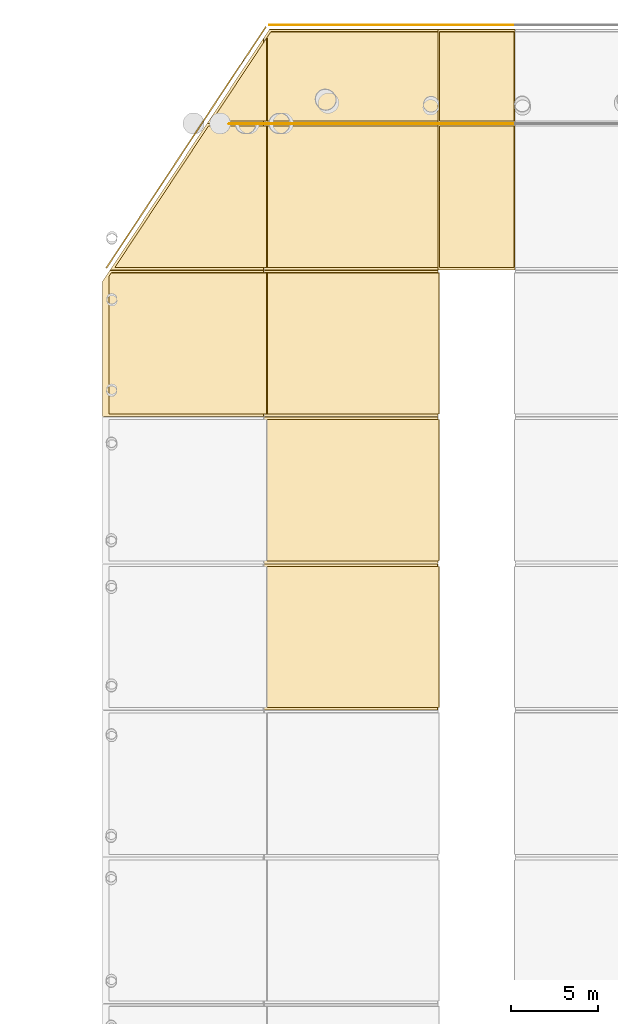
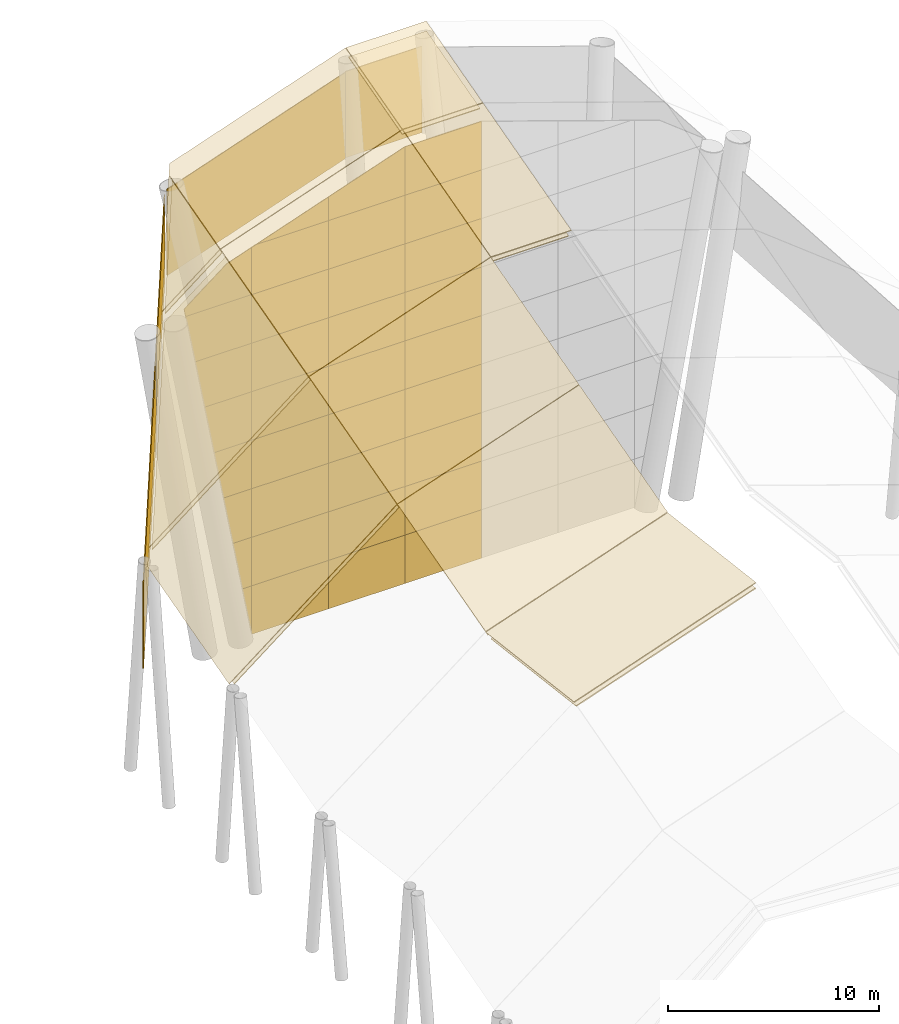
# One storey, part 6 of 8: 59 coverings.
"""IFC4 building model written with IfcOpenShell, lengths in metres."""

from ifc_helpers import new_model, si_unit, direction, frame, origin, place, context, subcontext, project, spatial, polyline, outline, extrude, material, layer, layer_set, type_object, element, save


model = new_model("IFC4")

# Units and contexts
model_context = context("Model", 3, precision=1e-05, world=origin(), true_north=direction((0.0, 1.0)))
body_context = subcontext(model_context, "Body", "Model", "MODEL_VIEW")
ifc_project = project(units=[si_unit("LENGTHUNIT", "METRE"), si_unit("AREAUNIT", "SQUARE_METRE"), si_unit("VOLUMEUNIT", "CUBIC_METRE"), si_unit("PLANEANGLEUNIT", "RADIAN"), si_unit("MASSUNIT", "GRAM", prefix="KILO")], contexts=[model_context])

# Site, building, storey
site_placement = place(None, origin())
site = spatial("IfcSite", under=ifc_project, at=site_placement, CompositionType="ELEMENT")
building_placement = place(site_placement, origin())
building = spatial("IfcBuilding", under=site, at=building_placement, Name="Sava Quay Ferry Terminal", CompositionType="ELEMENT")
storey_placement = place(building_placement, frame((0.0, 0.0, 18.0)))
storey = spatial("IfcBuildingStorey", under=building, at=storey_placement, Name="ROOF", CompositionType="ELEMENT", Elevation=18.0)

# Coverings
ifc_material_1 = material(Name="Glulam GL28h", Category="wood")
ifc_layer_1 = layer(ifc_material_1, 0.06005859375)
ifc_layer_set_1 = layer_set([ifc_layer_1], Name="Glulam GL28h")
covering_type_1 = type_object("IfcCoveringType", Name="Glulam soffit lining 60", PredefinedType="CEILING", material=ifc_layer_set_1)
covering_1_placement = place(storey_placement, frame((50.9951171875, 75.7587890625, 16.45751953125), z_axis=(-0.323350396103, 0.116498655419, 0.939080712519), x_axis=(0.0, 0.992392741197, -0.123112335773)))
element("IfcCovering", 1, at=covering_1_placement, inside=storey, type_object=covering_type_1, Name="Departure hall timber soffit lining bay 4 facet 2", PredefinedType="CEILING", context=body_context, shape_type="SweptSolid", body=[
    extrude(outline(polyline([(0.0, 0.0), (8.144476673117172, 0.0), (7.727109023082531, -10.404648059504769), (-0.4173676500346407, -10.404648059504769), (0.0, 0.0)])), origin(), (0.0, 0.0, -1.0), 0.06005859375),
])
covering_2_placement = place(storey_placement, frame((50.998291015625, 84.154296875, 15.48681640625), z_axis=(-0.315199027019, -0.25041905939, 0.915390554933), x_axis=(-4.19868e-06, 0.964558714023, 0.263868314099)))
element("IfcCovering", 2, at=covering_2_placement, inside=storey, type_object=covering_type_1, Name="Departure hall timber soffit lining bay 5 facet 2", PredefinedType="CEILING", context=body_context, shape_type="SweptSolid", body=[
    extrude(outline(polyline([(0.0, 0.0), (8.38858277240195, 0.0), (9.282962260238106, -10.372522157681702), (0.8943150668610333, -10.372447931846839), (0.0, 0.0)])), origin(), (0.0, 0.0, -1.0), 0.06005859375),
])
covering_3_placement = place(storey_placement, frame((41.945556640625, 92.554443359375, 10.716064453125), z_axis=(-0.601835831185, -0.210733081527, 0.770315000926), x_axis=(3.249979e-06, 0.964557172518, 0.263873948948)))
element("IfcCovering", 3, at=covering_3_placement, inside=storey, type_object=covering_type_1, Name="Departure hall timber soffit lining bay 6 facet 1", PredefinedType="CEILING", context=body_context, shape_type="SweptSolid", body=[
    extrude(outline(polyline([(0.0, 0.0), (8.173236846383585, -2.220446049250313e-16), (8.416993475092832, -0.17215673745696947), (10.25138441041561, -11.313704614893181), (1.8628016387466744, -11.31381970284826), (0.0, 0.0)])), origin(), (0.0, 0.0, -1.0), 0.06005859375),
])
covering_4_placement = place(storey_placement, frame((50.998291015625, 92.554443359375, 17.78466796875), z_axis=(-0.315199027019, -0.25041905939, 0.915390554933), x_axis=(4.198648e-06, 0.964557978091, 0.263871004249)))
element("IfcCovering", 4, at=covering_4_placement, inside=storey, type_object=covering_type_1, Name="Departure hall timber soffit lining bay 6 facet 2", PredefinedType="CEILING", context=body_context, shape_type="SweptSolid", body=[
    extrude(outline(polyline([(0.0, 0.0), (8.38864719370546, 0.0), (9.283054039764714, -10.37244001821224), (0.8944712676911529, -10.37251424347708), (0.0, 0.0)])), origin(), (0.0, 0.0, -1.0), 0.06005859375),
])
covering_5_placement = place(storey_placement, frame((47.640380859375, 109.045654296875, 19.677001953125), z_axis=(-0.601825375367, -0.210746119595, 0.770319602918), x_axis=(0.788017926567, -7.28906e-07, 0.615652294245)))
element("IfcCovering", 5, at=covering_5_placement, inside=storey, type_object=covering_type_1, Name="Departure hall timber soffit lining bay 7 facet 1", PredefinedType="CEILING", context=body_context, shape_type="SweptSolid", body=[
    extrude(outline(polyline([(0.0, 0.0), (4.2392022252661015, 5.551115123125783e-17), (2.8763860156689796, -8.277205671698216), (-8.156177666759504, -8.277217059134), (0.0, 0.0)])), origin(), (0.0, 0.0, -1.0), 0.06005859375),
])
covering_6_placement = place(storey_placement, frame((50.998291015625, 100.954345703125, 20.082763671875), z_axis=(-0.315199027019, -0.25041905939, 0.915390554933), x_axis=(-4.19868e-06, 0.964558714023, 0.263868314099)))
element("IfcCovering", 6, at=covering_6_placement, inside=storey, type_object=covering_type_1, Name="Departure hall timber soffit lining bay 7 facet 2", PredefinedType="CEILING", context=body_context, shape_type="SweptSolid", body=[
    extrude(outline(polyline([(0.0, 0.0), (8.38858277240195, 0.0), (9.282962260238106, -10.372522157681702), (0.8943150668610333, -10.372447931846839), (0.0, 0.0)])), origin(), (0.0, 0.0, -1.0), 0.06005859375),
])
covering_7_placement = place(storey_placement, frame((60.861572265625, 100.954345703125, 23.475341796875), z_axis=(0.0, -0.263883197799, 0.964554642267), x_axis=(0.0, 0.964554642267, 0.263883197799)))
element("IfcCovering", 7, at=covering_7_placement, inside=storey, type_object=covering_type_1, Name="Departure hall timber soffit lining bay 7 facet 3", PredefinedType="CEILING", context=body_context, shape_type="SweptSolid", body=[
    extrude(outline(polyline([(0.0, 0.0), (8.388647194449696, 0.0), (8.388647194449696, -4.276855468750001), (0.0, -4.276855468750001), (0.0, 0.0)])), origin(), (0.0, 0.0, -1.0), 0.06005859375),
])
covering_8_placement = place(storey_placement, frame((50.98095703125, 114.094970703125, 23.66796875), z_axis=(-0.601834910348, -0.210691483319, 0.770327099058), x_axis=(0.0, -0.964572129455, -0.263819269726)))
element("IfcCovering", 8, at=covering_8_placement, inside=storey, type_object=covering_type_1, Name="Departure hall timber soffit lining bay 8 facet 1", PredefinedType="CEILING", context=body_context, shape_type="SweptSolid", body=[
    extrude(outline(polyline([(0.0, 0.0), (4.914845154118857, 1.1102230246251565e-16), (5.561318301149572, -3.927365396656366), (0.0, 0.0)])), origin(), (0.0, 0.0, -1.0), 0.06005859375),
])
covering_9_placement = place(storey_placement, frame((50.998291015625, 109.354248046875, 22.380615234375), z_axis=(-0.315206481893, -0.250387200793, 0.915396702775), x_axis=(5.04045e-06, 0.964566898975, 0.263838392538)))
element("IfcCovering", 9, at=covering_9_placement, inside=storey, type_object=covering_type_1, Name="Departure hall timber soffit lining bay 8 facet 2", PredefinedType="CEILING", context=body_context, shape_type="SweptSolid", body=[
    extrude(outline(polyline([(0.0, 0.0), (4.941974989508143, 0.0), (5.297841739684771, -0.22611061852212433), (6.172692327932078, -10.372482710449443), (0.8943690119521096, -10.372523061401296), (0.0, 0.0)])), origin(), (0.0, 0.0, -1.0), 0.06005859375),
])
covering_10_placement = place(storey_placement, frame((60.861572265625, 109.354248046875, 25.7734375), z_axis=(0.0, -0.263829637095, 0.964569293825), x_axis=(0.0, 0.964569293825, 0.263829637095)))
element("IfcCovering", 10, at=covering_10_placement, inside=storey, type_object=covering_type_1, Name="Departure hall timber soffit lining bay 8 facet 3", PredefinedType="CEILING", context=body_context, shape_type="SweptSolid", body=[
    extrude(outline(polyline([(0.0, 0.0), (5.278323316264467, 0.0), (5.278323316264467, -4.27685546875), (0.0, -4.27685546875), (0.0, 0.0)])), origin(), (0.0, 0.0, -1.0), 0.06005859375),
])
ifc_material_2 = material(Name="Zinc standing seam sheet")
ifc_layer_2 = layer(ifc_material_2, 0.050048828125)
ifc_layer_set_2 = layer_set([ifc_layer_2], Name="Zinc standing seam sheet")
covering_type_2 = type_object("IfcCoveringType", Name="Prow edge apron zinc 50", PredefinedType="CLADDING", material=ifc_layer_set_2)
covering_11_placement = place(storey_placement, frame((41.779052734375, 100.9462890625, 11.58642578125), z_axis=(-0.833995524919, 0.551771206584, 0.0), x_axis=(0.460672089896, 0.696300308613, 0.550406309753)))
element("IfcCovering", 11, at=covering_11_placement, inside=storey, type_object=covering_type_2, Name="Departure hall prow edge apron 1", PredefinedType="CLADDING", context=body_context, shape_type="SweptSolid", body=[
    extrude(outline(polyline([(0.0, 0.0), (12.063620021192186, 8.881784197001252e-16), (9.311588472427932, 4.174484681323699), (-2.752031548764255, 4.1744846813236975), (0.0, 0.0)])), origin(), (0.0, 0.0, -1.0), 0.050048828125),
])
covering_12_placement = place(storey_placement, frame((47.33642578125, 109.34619140625, 18.226318359375), z_axis=(-0.834011561031, 0.551746967429, 0.0), x_axis=(0.460660848665, 0.696327295266, 0.550381577067)))
element("IfcCovering", 12, at=covering_12_placement, inside=storey, type_object=covering_type_2, Name="Departure hall prow edge apron 2", PredefinedType="CLADDING", context=body_context, shape_type="SweptSolid", body=[
    extrude(outline(polyline([(0.0, 0.0), (7.755184266202708, 8.881784197001252e-16), (5.003276380869533, 4.174566203887669), (-2.751907885333175, 4.174566203887668), (0.0, 0.0)])), origin(), (0.0, 0.0, -1.0), 0.050048828125),
])
covering_13_placement = place(storey_placement, frame((51.1298828125, 114.864990234375, 22.6591796875), z_axis=(0.0, 1.0, 0.0), x_axis=(0.945520775213, 0.0, 0.325561766247)))
element("IfcCovering", 13, at=covering_13_placement, inside=storey, type_object=covering_type_2, Name="Departure hall prow edge apron 5", PredefinedType="CLADDING", context=body_context, shape_type="SweptSolid", body=[
    extrude(outline(polyline([(0.0, 0.0), (10.332950673721827, -4.440892098500626e-16), (8.705141842489251, 4.727603876062505), (-1.627808831232577, 4.727603876062506), (0.0, 0.0)])), origin(), (0.0, 0.0, -1.0), 0.050048828125),
])
covering_14_placement = place(storey_placement, frame((60.89990234375, 114.864990234375, 26.06787109375), z_axis=(0.0, 1.0, 0.0), x_axis=(1.0, 0.0, 0.0)))
element("IfcCovering", 14, at=covering_14_placement, inside=storey, type_object=covering_type_2, Name="Departure hall prow edge apron 6", PredefinedType="CLADDING", context=body_context, shape_type="SweptSolid", body=[
    extrude(outline(polyline([(0.0, 0.0), (4.2001953125, 0.0), (4.2001953125, 5.0), (0.0, 5.0), (0.0, 0.0)])), origin(), (0.0, 0.0, -1.0), 0.050048828125),
])
ifc_material_3 = material(Name="Laminated glass", Category="glass")
ifc_layer_3 = layer(ifc_material_3, 0.0400390625)
ifc_layer_set_3 = layer_set([ifc_layer_3], Name="Laminated glass")
covering_type_3 = type_object("IfcCoveringType", Name="Prow end glazing 40", PredefinedType="CLADDING", material=ifc_layer_set_3)
covering_15_placement = place(storey_placement, frame((51.96728515625, 109.199951171875, 2.63330078125), z_axis=(0.0, 1.0, 0.0), x_axis=(1.0, 0.0, 0.0)))
element("IfcCovering", 15, at=covering_15_placement, inside=storey, type_object=covering_type_3, Name="Departure hall prow end glazing panel 16", PredefinedType="CLADDING", context=body_context, shape_type="SweptSolid", body=[
    extrude(outline(polyline([(0.0, 0.0), (0.53271484375, 0.0), (0.53271484375, 2.813232421875), (0.51611328125, 2.813232421875), (0.0, 0.0)])), origin(), (0.0, 0.0, -1.0), 0.0400390625),
])
for number, where, z_axis, x_axis, name in (
    (16, (52.5, 109.199951171875, -0.179931640625), (0.0, 1.0, 0.0), (0.0, 0.0, 1.0), "Departure hall prow end glazing panel 17"),
    (17, (56.699951171875, 109.199951171875, -0.179931640625), (0.0, 1.0, 0.0), (0.0, 0.0, 1.0), "Departure hall prow end glazing panel 18"),
):
    element("IfcCovering", number, at=place(storey_placement, frame(where, z_axis=z_axis, x_axis=x_axis)), inside=storey, type_object=covering_type_3, Name=name, PredefinedType="CLADDING", context=body_context, shape_type="SweptSolid", body=[
        extrude(outline(polyline([(0.0, 0.0), (2.813232421875, 0.0), (2.813232421875, 4.199951171875), (0.0, 4.199951171875), (0.0, 0.0)])), origin(), (0.0, 0.0, -1.0), 0.0400390625),
    ])
covering_16_placement = place(storey_placement, frame((60.89990234375, 109.199951171875, -0.179931640625), z_axis=(0.0, 1.0, 0.0), x_axis=(0.0, 0.0, 1.0)))
element("IfcCovering", 18, at=covering_16_placement, inside=storey, type_object=covering_type_3, Name="Departure hall prow end glazing panel 19", PredefinedType="CLADDING", context=body_context, shape_type="SweptSolid", body=[
    extrude(outline(polyline([(0.0, 0.0), (2.813232421875, 0.0), (2.813232421875, 4.2001953125), (0.0, 4.2001953125), (0.0, 0.0)])), origin(), (0.0, 0.0, -1.0), 0.0400390625),
])
covering_17_placement = place(storey_placement, frame((51.451171875, 109.199951171875, 5.44677734375), z_axis=(0.0, 1.0, 0.0), x_axis=(1.0, 0.0, 0.0)))
element("IfcCovering", 19, at=covering_17_placement, inside=storey, type_object=covering_type_3, Name="Departure hall prow end glazing panel 23", PredefinedType="CLADDING", context=body_context, shape_type="SweptSolid", body=[
    extrude(outline(polyline([(0.0, 0.0), (1.048828125, 0.0), (1.048828125, 2.8134765625), (0.51611328125, 2.8134765625), (0.0, 0.0)])), origin(), (0.0, 0.0, -1.0), 0.0400390625),
])
for number, where, z_axis, x_axis, name in (
    (20, (52.5, 109.199951171875, 2.63330078125), (0.0, 1.0, 0.0), (0.0, 0.0, 1.0), "Departure hall prow end glazing panel 24"),
    (21, (56.699951171875, 109.199951171875, 2.63330078125), (0.0, 1.0, 0.0), (0.0, 0.0, 1.0), "Departure hall prow end glazing panel 25"),
):
    element("IfcCovering", number, at=place(storey_placement, frame(where, z_axis=z_axis, x_axis=x_axis)), inside=storey, type_object=covering_type_3, Name=name, PredefinedType="CLADDING", context=body_context, shape_type="SweptSolid", body=[
        extrude(outline(polyline([(0.0, 0.0), (2.8134765625, 0.0), (2.8134765625, 4.199951171875), (0.0, 4.199951171875), (0.0, 0.0)])), origin(), (0.0, 0.0, -1.0), 0.0400390625),
    ])
covering_18_placement = place(storey_placement, frame((60.89990234375, 109.199951171875, 2.63330078125), z_axis=(0.0, 1.0, 0.0), x_axis=(0.0, 0.0, 1.0)))
element("IfcCovering", 22, at=covering_18_placement, inside=storey, type_object=covering_type_3, Name="Departure hall prow end glazing panel 26", PredefinedType="CLADDING", context=body_context, shape_type="SweptSolid", body=[
    extrude(outline(polyline([(0.0, 0.0), (2.8134765625, 0.0), (2.8134765625, 4.2001953125), (0.0, 4.2001953125), (0.0, 0.0)])), origin(), (0.0, 0.0, -1.0), 0.0400390625),
])
covering_19_placement = place(storey_placement, frame((50.93505859375, 109.199951171875, 8.260009765625), z_axis=(0.0, 1.0, 0.0), x_axis=(1.0, 0.0, 0.0)))
element("IfcCovering", 23, at=covering_19_placement, inside=storey, type_object=covering_type_3, Name="Departure hall prow end glazing panel 30", PredefinedType="CLADDING", context=body_context, shape_type="SweptSolid", body=[
    extrude(outline(polyline([(0.0, 0.0), (1.56494140625, 0.0), (1.56494140625, 2.813232421875), (0.51611328125, 2.813232421875), (0.0, 0.0)])), origin(), (0.0, 0.0, -1.0), 0.0400390625),
])
for number, where, z_axis, x_axis, name in (
    (24, (52.5, 109.199951171875, 5.44677734375), (0.0, 1.0, 0.0), (0.0, 0.0, 1.0), "Departure hall prow end glazing panel 31"),
    (25, (56.699951171875, 109.199951171875, 5.44677734375), (0.0, 1.0, 0.0), (0.0, 0.0, 1.0), "Departure hall prow end glazing panel 32"),
):
    element("IfcCovering", number, at=place(storey_placement, frame(where, z_axis=z_axis, x_axis=x_axis)), inside=storey, type_object=covering_type_3, Name=name, PredefinedType="CLADDING", context=body_context, shape_type="SweptSolid", body=[
        extrude(outline(polyline([(0.0, 0.0), (2.813232421875, 0.0), (2.813232421875, 4.199951171875), (0.0, 4.199951171875), (0.0, 0.0)])), origin(), (0.0, 0.0, -1.0), 0.0400390625),
    ])
covering_20_placement = place(storey_placement, frame((60.89990234375, 109.199951171875, 5.44677734375), z_axis=(0.0, 1.0, 0.0), x_axis=(0.0, 0.0, 1.0)))
element("IfcCovering", 26, at=covering_20_placement, inside=storey, type_object=covering_type_3, Name="Departure hall prow end glazing panel 33", PredefinedType="CLADDING", context=body_context, shape_type="SweptSolid", body=[
    extrude(outline(polyline([(0.0, 0.0), (2.813232421875, 0.0), (2.813232421875, 4.2001953125), (0.0, 4.2001953125), (0.0, 0.0)])), origin(), (0.0, 0.0, -1.0), 0.0400390625),
])
covering_21_placement = place(storey_placement, frame((50.419189453125, 109.199951171875, 11.073486328125), z_axis=(0.0, 1.0, 0.0), x_axis=(1.0, 0.0, 0.0)))
element("IfcCovering", 27, at=covering_21_placement, inside=storey, type_object=covering_type_3, Name="Departure hall prow end glazing panel 37", PredefinedType="CLADDING", context=body_context, shape_type="SweptSolid", body=[
    extrude(outline(polyline([(0.0, 0.0), (2.080810546875, 0.0), (2.080810546875, 2.8134765625), (0.515869140625, 2.8134765625), (0.0, 0.0)])), origin(), (0.0, 0.0, -1.0), 0.0400390625),
])
for number, where, z_axis, x_axis, name in (
    (28, (52.5, 109.199951171875, 8.260009765625), (0.0, 1.0, 0.0), (0.0, 0.0, 1.0), "Departure hall prow end glazing panel 38"),
    (29, (56.699951171875, 109.199951171875, 8.260009765625), (0.0, 1.0, 0.0), (0.0, 0.0, 1.0), "Departure hall prow end glazing panel 39"),
):
    element("IfcCovering", number, at=place(storey_placement, frame(where, z_axis=z_axis, x_axis=x_axis)), inside=storey, type_object=covering_type_3, Name=name, PredefinedType="CLADDING", context=body_context, shape_type="SweptSolid", body=[
        extrude(outline(polyline([(0.0, 0.0), (2.8134765625, 0.0), (2.8134765625, 4.199951171875), (0.0, 4.199951171875), (0.0, 0.0)])), origin(), (0.0, 0.0, -1.0), 0.0400390625),
    ])
covering_22_placement = place(storey_placement, frame((60.89990234375, 109.199951171875, 8.260009765625), z_axis=(0.0, 1.0, 0.0), x_axis=(0.0, 0.0, 1.0)))
element("IfcCovering", 30, at=covering_22_placement, inside=storey, type_object=covering_type_3, Name="Departure hall prow end glazing panel 40", PredefinedType="CLADDING", context=body_context, shape_type="SweptSolid", body=[
    extrude(outline(polyline([(0.0, 0.0), (2.8134765625, 0.0), (2.8134765625, 4.2001953125), (0.0, 4.2001953125), (0.0, 0.0)])), origin(), (0.0, 0.0, -1.0), 0.0400390625),
])
covering_23_placement = place(storey_placement, frame((49.903076171875, 109.199951171875, 13.88671875), z_axis=(0.0, 1.0, 0.0), x_axis=(1.0, 0.0, 0.0)))
element("IfcCovering", 31, at=covering_23_placement, inside=storey, type_object=covering_type_3, Name="Departure hall prow end glazing panel 44", PredefinedType="CLADDING", context=body_context, shape_type="SweptSolid", body=[
    extrude(outline(polyline([(0.0, 0.0), (2.596923828125, 0.0), (2.596923828125, 2.813232421875), (0.51611328125, 2.813232421875), (0.0, 0.0)])), origin(), (0.0, 0.0, -1.0), 0.0400390625),
])
for number, where, z_axis, x_axis, name in (
    (32, (52.5, 109.199951171875, 11.073486328125), (0.0, 1.0, 0.0), (0.0, 0.0, 1.0), "Departure hall prow end glazing panel 45"),
    (33, (56.699951171875, 109.199951171875, 11.073486328125), (0.0, 1.0, 0.0), (0.0, 0.0, 1.0), "Departure hall prow end glazing panel 46"),
):
    element("IfcCovering", number, at=place(storey_placement, frame(where, z_axis=z_axis, x_axis=x_axis)), inside=storey, type_object=covering_type_3, Name=name, PredefinedType="CLADDING", context=body_context, shape_type="SweptSolid", body=[
        extrude(outline(polyline([(0.0, 0.0), (2.813232421875, 0.0), (2.813232421875, 4.199951171875), (0.0, 4.199951171875), (0.0, 0.0)])), origin(), (0.0, 0.0, -1.0), 0.0400390625),
    ])
covering_24_placement = place(storey_placement, frame((60.89990234375, 109.199951171875, 11.073486328125), z_axis=(0.0, 1.0, 0.0), x_axis=(0.0, 0.0, 1.0)))
element("IfcCovering", 34, at=covering_24_placement, inside=storey, type_object=covering_type_3, Name="Departure hall prow end glazing panel 47", PredefinedType="CLADDING", context=body_context, shape_type="SweptSolid", body=[
    extrude(outline(polyline([(0.0, 0.0), (2.813232421875, 0.0), (2.813232421875, 4.2001953125), (0.0, 4.2001953125), (0.0, 0.0)])), origin(), (0.0, 0.0, -1.0), 0.0400390625),
])
covering_25_placement = place(storey_placement, frame((49.386962890625, 109.199951171875, 16.7001953125), z_axis=(0.0, 1.0, 0.0), x_axis=(1.0, 0.0, 0.0)))
element("IfcCovering", 35, at=covering_25_placement, inside=storey, type_object=covering_type_3, Name="Departure hall prow end glazing panel 51", PredefinedType="CLADDING", context=body_context, shape_type="SweptSolid", body=[
    extrude(outline(polyline([(0.0, 0.0), (3.113037109375, 0.0), (3.113037109375, 2.8134765625), (0.51611328125, 2.8134765625), (0.0, 0.0)])), origin(), (0.0, 0.0, -1.0), 0.0400390625),
])
for number, where, z_axis, x_axis, name in (
    (36, (52.5, 109.199951171875, 13.88671875), (0.0, 1.0, 0.0), (0.0, 0.0, 1.0), "Departure hall prow end glazing panel 52"),
    (37, (56.699951171875, 109.199951171875, 13.88671875), (0.0, 1.0, 0.0), (0.0, 0.0, 1.0), "Departure hall prow end glazing panel 53"),
):
    element("IfcCovering", number, at=place(storey_placement, frame(where, z_axis=z_axis, x_axis=x_axis)), inside=storey, type_object=covering_type_3, Name=name, PredefinedType="CLADDING", context=body_context, shape_type="SweptSolid", body=[
        extrude(outline(polyline([(0.0, 0.0), (2.8134765625, 0.0), (2.8134765625, 4.199951171875), (0.0, 4.199951171875), (0.0, 0.0)])), origin(), (0.0, 0.0, -1.0), 0.0400390625),
    ])
covering_26_placement = place(storey_placement, frame((60.89990234375, 109.199951171875, 13.88671875), z_axis=(0.0, 1.0, 0.0), x_axis=(0.0, 0.0, 1.0)))
element("IfcCovering", 38, at=covering_26_placement, inside=storey, type_object=covering_type_3, Name="Departure hall prow end glazing panel 54", PredefinedType="CLADDING", context=body_context, shape_type="SweptSolid", body=[
    extrude(outline(polyline([(0.0, 0.0), (2.8134765625, 0.0), (2.8134765625, 4.2001953125), (0.0, 4.2001953125), (0.0, 0.0)])), origin(), (0.0, 0.0, -1.0), 0.0400390625),
])
covering_27_placement = place(storey_placement, frame((48.870849609375, 109.199951171875, 19.513427734375), z_axis=(0.0, 1.0, 0.0), x_axis=(1.0, 0.0, 0.0)))
element("IfcCovering", 39, at=covering_27_placement, inside=storey, type_object=covering_type_3, Name="Departure hall prow end glazing panel 58", PredefinedType="CLADDING", context=body_context, shape_type="SweptSolid", body=[
    extrude(outline(polyline([(0.0, 0.0), (3.629150390625, 0.0), (3.629150390625, 2.813232421875), (0.51611328125, 2.813232421875), (0.0, 0.0)])), origin(), (0.0, 0.0, -1.0), 0.0400390625),
])
for number, where, z_axis, x_axis, name in (
    (40, (52.5, 109.199951171875, 16.7001953125), (0.0, 1.0, 0.0), (0.0, 0.0, 1.0), "Departure hall prow end glazing panel 59"),
    (41, (56.699951171875, 109.199951171875, 16.7001953125), (0.0, 1.0, 0.0), (0.0, 0.0, 1.0), "Departure hall prow end glazing panel 60"),
):
    element("IfcCovering", number, at=place(storey_placement, frame(where, z_axis=z_axis, x_axis=x_axis)), inside=storey, type_object=covering_type_3, Name=name, PredefinedType="CLADDING", context=body_context, shape_type="SweptSolid", body=[
        extrude(outline(polyline([(0.0, 0.0), (2.813232421875, 0.0), (2.813232421875, 4.199951171875), (0.0, 4.199951171875), (0.0, 0.0)])), origin(), (0.0, 0.0, -1.0), 0.0400390625),
    ])
covering_28_placement = place(storey_placement, frame((60.89990234375, 109.199951171875, 16.7001953125), z_axis=(0.0, 1.0, 0.0), x_axis=(0.0, 0.0, 1.0)))
element("IfcCovering", 42, at=covering_28_placement, inside=storey, type_object=covering_type_3, Name="Departure hall prow end glazing panel 61", PredefinedType="CLADDING", context=body_context, shape_type="SweptSolid", body=[
    extrude(outline(polyline([(0.0, 0.0), (2.813232421875, 0.0), (2.813232421875, 4.2001953125), (0.0, 4.2001953125), (0.0, 0.0)])), origin(), (0.0, 0.0, -1.0), 0.0400390625),
])
covering_29_placement = place(storey_placement, frame((48.791015625, 109.199951171875, 19.94873046875), z_axis=(0.0, 1.0, 0.0), x_axis=(0.787999432314, 0.0, 0.615675965644)))
element("IfcCovering", 43, at=covering_29_placement, inside=storey, type_object=covering_type_3, Name="Departure hall prow end glazing panel 65", PredefinedType="CLADDING", context=body_context, shape_type="SweptSolid", body=[
    extrude(outline(polyline([(0.0, 0.0), (2.9681077061573244, -2.220446049250313e-16), (4.338161119187954, 0.471864896475815), (2.6546721506290436, 2.6265508442105325), (-0.20509629696707893, 0.39217017299372897), (0.0, 0.0)])), origin(), (0.0, 0.0, -1.0), 0.0400390625),
])
covering_30_placement = place(storey_placement, frame((52.7294921875, 109.199951171875, 22.326904296875), z_axis=(0.0, 1.0, 0.0), x_axis=(1.0, 0.0, 0.0)))
element("IfcCovering", 44, at=covering_30_placement, inside=storey, type_object=covering_type_3, Name="Departure hall prow end glazing panel 66", PredefinedType="CLADDING", context=body_context, shape_type="SweptSolid", body=[
    extrude(outline(polyline([(0.0, 0.0), (3.970458984375, 0.0), (3.970458984375, 2.8134765625), (-0.2294921875, 2.8134765625), (-0.2294921875, 0.0791015625), (0.0, 0.0)])), origin(), (0.0, 0.0, -1.0), 0.0400390625),
])
covering_31_placement = place(storey_placement, frame((56.699951171875, 109.199951171875, 19.513427734375), z_axis=(0.0, 1.0, 0.0), x_axis=(0.0, 0.0, 1.0)))
element("IfcCovering", 45, at=covering_31_placement, inside=storey, type_object=covering_type_3, Name="Departure hall prow end glazing panel 67", PredefinedType="CLADDING", context=body_context, shape_type="SweptSolid", body=[
    extrude(outline(polyline([(0.0, 0.0), (2.8134765625, 0.0), (2.8134765625, 4.199951171875), (0.0, 4.199951171875), (0.0, 0.0)])), origin(), (0.0, 0.0, -1.0), 0.0400390625),
])
covering_32_placement = place(storey_placement, frame((60.89990234375, 109.199951171875, 19.513427734375), z_axis=(0.0, 1.0, 0.0), x_axis=(0.0, 0.0, 1.0)))
element("IfcCovering", 46, at=covering_32_placement, inside=storey, type_object=covering_type_3, Name="Departure hall prow end glazing panel 68", PredefinedType="CLADDING", context=body_context, shape_type="SweptSolid", body=[
    extrude(outline(polyline([(0.0, 0.0), (2.8134765625, 0.0), (2.8134765625, 4.2001953125), (0.0, 4.2001953125), (0.0, 0.0)])), origin(), (0.0, 0.0, -1.0), 0.0400390625),
])
covering_33_placement = place(storey_placement, frame((56.699951171875, 109.199951171875, 23.694091796875), z_axis=(0.0, 1.0, 0.0), x_axis=(0.0, 0.0, -1.0)))
element("IfcCovering", 47, at=covering_33_placement, inside=storey, type_object=covering_type_3, Name="Departure hall prow end glazing panel 72", PredefinedType="CLADDING", context=body_context, shape_type="SweptSolid", body=[
    extrude(outline(polyline([(0.0, 0.0), (1.3671875, 0.0), (1.3671875, 3.970458984375), (0.0, 0.0)])), origin(), (0.0, 0.0, -1.0), 0.0400390625),
])
covering_34_placement = place(storey_placement, frame((60.89990234375, 109.199951171875, 25.14013671875), z_axis=(0.0, 1.0, 0.0), x_axis=(0.0, 0.0, -1.0)))
element("IfcCovering", 48, at=covering_34_placement, inside=storey, type_object=covering_type_3, Name="Departure hall prow end glazing panel 73", PredefinedType="CLADDING", context=body_context, shape_type="SweptSolid", body=[
    extrude(outline(polyline([(0.0, 0.0), (2.813232421875, 0.0), (2.813232421875, 4.199951171875), (1.446044921875, 4.199951171875), (0.0, 0.0)])), origin(), (0.0, 0.0, -1.0), 0.0400390625),
])
covering_35_placement = place(storey_placement, frame((60.89990234375, 109.199951171875, 25.14013671875), z_axis=(0.0, 1.0, 0.0), x_axis=(1.0, 0.0, 0.0)))
element("IfcCovering", 49, at=covering_35_placement, inside=storey, type_object=covering_type_3, Name="Departure hall prow end glazing panel 74", PredefinedType="CLADDING", context=body_context, shape_type="SweptSolid", body=[
    extrude(outline(polyline([(0.0, 0.0), (4.2001953125, 0.0), (4.2001953125, 2.813232421875), (0.0, 2.813232421875), (0.0, 0.0), (0.0, 0.0)])), origin(), (0.0, 0.0, -1.0), 0.0400390625),
])
ifc_material_4 = material(Name="Zinc standing seam sheet")
ifc_layer_4 = layer(ifc_material_4, 0.0400390625)
ifc_layer_set_4 = layer_set([ifc_layer_4], Name="Zinc standing seam sheet")
covering_type_4 = type_object("IfcCoveringType", Name="Standing seam roofing 40", PredefinedType="ROOFING", material=ifc_layer_set_4)
covering_36_placement = place(storey_placement, frame((50.7978515625, 75.610107421875, 16.8447265625), z_axis=(-0.323337662824, 0.116483016523, 0.939087036787), x_axis=(-4.38953e-06, 0.992394676865, -0.123096731521)))
element("IfcCovering", 50, at=covering_36_placement, inside=storey, type_object=covering_type_4, Name="Departure hall roofing bay 4 facet 2", PredefinedType="ROOFING", context=body_context, shape_type="SweptSolid", body=[
    extrude(outline(polyline([(0.0, 0.0), (8.444116399297757, -5.551115123125783e-17), (8.021288234734172, -10.541119116099269), (-0.4227981116506149, -10.541040776728149), (0.0, 0.0)])), origin(), (0.0, 0.0, -1.0), 0.0400390625),
])
covering_37_placement = place(storey_placement, frame((50.80517578125, 84.010009765625, 15.82861328125), z_axis=(-0.31519450594, -0.250423074649, 0.915391013233), x_axis=(0.0, 0.964557302837, 0.263873472603)))
element("IfcCovering", 51, at=covering_37_placement, inside=storey, type_object=covering_type_4, Name="Departure hall roofing bay 5 facet 2", PredefinedType="ROOFING", context=body_context, shape_type="SweptSolid", body=[
    extrude(outline(polyline([(0.0, 0.0), (8.687801945879816, 0.0), (9.593707407732648, -10.505979288617054), (0.9059054618528322, -10.505979288617056), (0.0, 0.0)])), origin(), (0.0, 0.0, -1.0), 0.0400390625),
])
covering_38_placement = place(storey_placement, frame((41.58056640625, 92.409912109375, 10.923828125), z_axis=(-0.601832696365, -0.210724973276, 0.770319668205), x_axis=(-4.697979e-06, 0.964561743874, 0.263857238356)))
element("IfcCovering", 52, at=covering_38_placement, inside=storey, type_object=covering_type_4, Name="Departure hall roofing bay 6 facet 1", PredefinedType="ROOFING", context=body_context, shape_type="SweptSolid", body=[
    extrude(outline(polyline([(0.0, 0.0), (8.02232097866944, 0.0), (8.77557986793888, -0.5319446160641769), (10.586014116866817, -11.52900301534866), (1.8979766836063872, -11.528921186406333), (0.0, 0.0)])), origin(), (0.0, 0.0, -1.0), 0.0400390625),
])
covering_39_placement = place(storey_placement, frame((50.80517578125, 92.409912109375, 18.126708984375), z_axis=(-0.315195081793, -0.250416236506, 0.915392685631), x_axis=(0.0, 0.964559259446, 0.263866320355)))
element("IfcCovering", 53, at=covering_39_placement, inside=storey, type_object=covering_type_4, Name="Departure hall roofing bay 6 facet 2", PredefinedType="ROOFING", context=body_context, shape_type="SweptSolid", body=[
    extrude(outline(polyline([(0.0, 0.0), (8.688037433741426, -1.1102230246251565e-16), (9.593918341171968, -10.505981405857243), (0.9058809074305404, -10.505981405857243), (0.0, 0.0)])), origin(), (0.0, 0.0, -1.0), 0.0400390625),
])
covering_40_placement = place(storey_placement, frame((47.562744140625, 109.18994140625, 20.18798828125), z_axis=(-0.601838392531, -0.210730776585, 0.770313630332), x_axis=(0.788008850448, 1.531259e-06, 0.615663911248)))
element("IfcCovering", 54, at=covering_40_placement, inside=storey, type_object=covering_type_4, Name="Departure hall roofing bay 7 facet 1", PredefinedType="ROOFING", context=body_context, shape_type="SweptSolid", body=[
    extrude(outline(polyline([(0.0, 0.0), (4.092740269142934, -5.551115123125783e-17), (2.681329945523755, -8.572387272418922), (-8.447055367121857, -8.572363429522698), (0.0, 0.0)])), origin(), (0.0, 0.0, -1.0), 0.0400390625),
])
covering_41_placement = place(storey_placement, frame((50.80517578125, 100.81005859375, 20.424560546875), z_axis=(-0.315192400802, -0.250448071056, 0.915384899472), x_axis=(0.0, 0.964550150101, 0.263899617166)))
element("IfcCovering", 55, at=covering_41_placement, inside=storey, type_object=covering_type_4, Name="Departure hall roofing bay 7 facet 2", PredefinedType="ROOFING", context=body_context, shape_type="SweptSolid", body=[
    extrude(outline(polyline([(0.0, 0.0), (8.687866371305825, 0.0), (9.59386159019867, -10.505971548695943), (0.9059952188928464, -10.505971548695943), (0.0, 0.0)])), origin(), (0.0, 0.0, -1.0), 0.0400390625),
])
covering_42_placement = place(storey_placement, frame((60.795166015625, 100.81005859375, 23.861083984375), z_axis=(0.0, -0.263873472603, 0.964557302837), x_axis=(0.0, 0.964557302837, 0.263873472603)))
element("IfcCovering", 56, at=covering_42_placement, inside=storey, type_object=covering_type_4, Name="Departure hall roofing bay 7 facet 3", PredefinedType="ROOFING", context=body_context, shape_type="SweptSolid", body=[
    extrude(outline(polyline([(0.0, 0.0), (8.687801945879816, 0.0), (8.687801945879816, -4.40966796875), (0.0, -4.40966796875), (0.0, 0.0)])), origin(), (0.0, 0.0, -1.0), 0.0400390625),
])
covering_43_placement = place(storey_placement, frame((50.787841796875, 114.064697265625, 24.041015625), z_axis=(-0.601818153557, -0.210704591182, 0.770336605195), x_axis=(0.0, -0.964568781206, -0.263831511239)))
element("IfcCovering", 57, at=covering_43_placement, inside=storey, type_object=covering_type_4, Name="Departure hall roofing bay 8 facet 1", PredefinedType="ROOFING", context=body_context, shape_type="SweptSolid", body=[
    extrude(outline(polyline([(0.0, 0.0), (5.033063916970566, -1.1102230246251565e-16), (5.695090350689002, -4.0217640077210355), (0.0, 0.0)])), origin(), (0.0, 0.0, -1.0), 0.0400390625),
])
covering_44_placement = place(storey_placement, frame((50.80517578125, 109.2099609375, 22.72265625), z_axis=(-0.315195697439, -0.250368413613, 0.915405554812), x_axis=(1.098725e-06, 0.964572931392, 0.263816337678)))
element("IfcCovering", 58, at=covering_44_placement, inside=storey, type_object=covering_type_4, Name="Departure hall roofing bay 8 facet 2", PredefinedType="ROOFING", context=body_context, shape_type="SweptSolid", body=[
    extrude(outline(polyline([(0.0, 0.0), (5.06012934052729, 1.1102230246251565e-16), (5.6077281872781715, -0.34781793356688406), (6.483433829960491, -10.505971004008943), (0.9057202664211477, -10.50599525586282), (0.0, 0.0)])), origin(), (0.0, 0.0, -1.0), 0.0400390625),
])
covering_45_placement = place(storey_placement, frame((60.795166015625, 109.2099609375, 26.158935546875), z_axis=(0.0, -0.263846946614, 0.964564559147), x_axis=(0.0, 0.964564559147, 0.263846946614)))
element("IfcCovering", 59, at=covering_45_placement, inside=storey, type_object=covering_type_4, Name="Departure hall roofing bay 8 facet 3", PredefinedType="ROOFING", context=body_context, shape_type="SweptSolid", body=[
    extrude(outline(polyline([(0.0, 0.0), (5.577777974636692, 0.0), (5.577777974636692, -4.409667968750001), (0.0, -4.409667968750001), (0.0, 0.0)])), origin(), (0.0, 0.0, -1.0), 0.0400390625),
])

save(model, "model.ifc")
